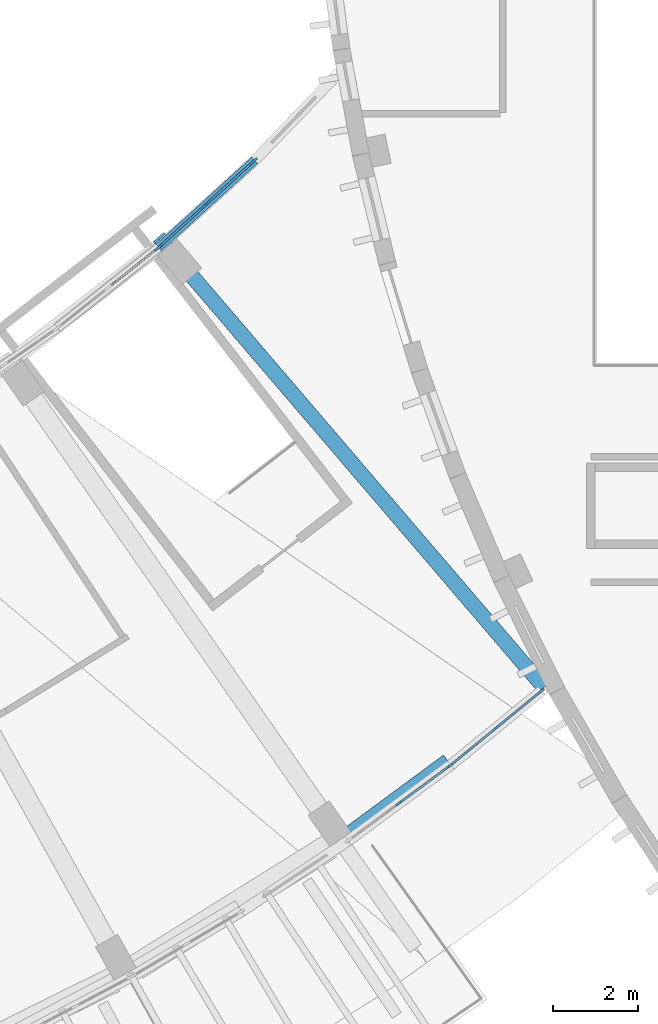
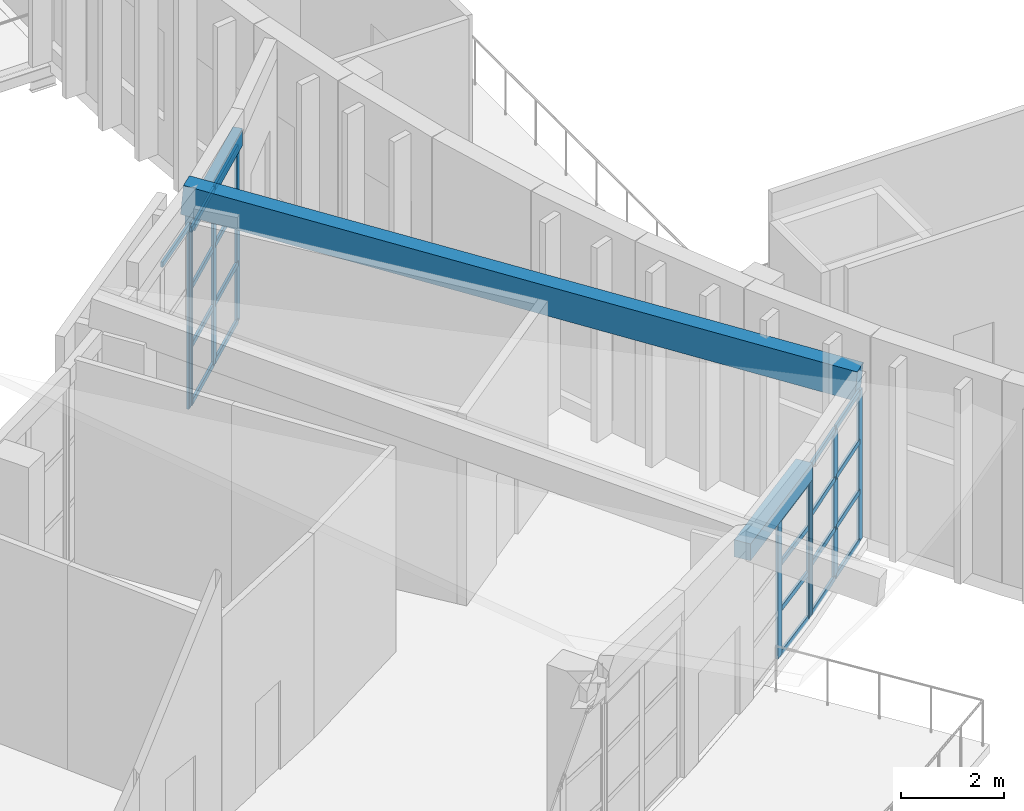
# One storey, part 24 of 93: 30 members, 3 beams, 4 elements without a shape of their own.
"""IFC4 building model written with IfcOpenShell, lengths in metres."""

from ifc_helpers import new_model, si_unit, direction, frame, origin, origin_2d, place, context, subcontext, project, spatial, rectangle, extrude, material, material_profile, profile_set, type_object, element, aggregate, save


model = new_model("IFC4")

# Units and contexts
model_context = context("Model", 3, precision=1e-05, world=origin(), true_north=direction((0.0, 1.0)))
body_context = subcontext(model_context, "Body", "Model", "MODEL_VIEW")
ifc_project = project(units=[si_unit("LENGTHUNIT", "METRE"), si_unit("AREAUNIT", "SQUARE_METRE"), si_unit("VOLUMEUNIT", "CUBIC_METRE"), si_unit("PLANEANGLEUNIT", "RADIAN"), si_unit("MASSUNIT", "GRAM", prefix="KILO")], contexts=[model_context])

# Site, building, storey
site_placement = place(None, origin())
site = spatial("IfcSite", under=ifc_project, at=site_placement, CompositionType="ELEMENT")
building_placement = place(site_placement, origin())
building = spatial("IfcBuilding", under=site, at=building_placement, Name="Tide Square Theatres", CompositionType="ELEMENT")
storey_placement = place(building_placement, frame((0.0, 0.0, 5.39990234375)))
storey = spatial("IfcBuildingStorey", under=building, at=storey_placement, Name="L01", CompositionType="ELEMENT", Elevation=5.39990234375)

# Curtain wall, members
ifc_material_1 = material(Name="Aluminium 6063-T5", Category="aluminium")
curtain_wall_type_1 = type_object("IfcCurtainWallType", Name="Stick system curtain wall 3000 high", PredefinedType="USERDEFINED", material=ifc_material_1)
curtain_wall_1_placement = place(storey_placement, origin())
curtain_wall_1 = element("IfcCurtainWall", 1, at=curtain_wall_1_placement, inside=storey, type_object=curtain_wall_type_1, Name="Foyer outer curtain wall", ObjectType="STICK SYSTEM", PredefinedType="USERDEFINED")
ifc_material_2 = material(Name="Aluminium 6063-T5", Category="aluminium")
ifc_material_profile_1 = material_profile(ifc_material_2, rectangle(XDim=0.050048828125, YDim=0.199951171875, at=origin_2d()))
ifc_profile_set_1 = profile_set([ifc_material_profile_1], Name="Aluminium 6063-T5")
member_type_1 = type_object("IfcMemberType", Name="Aluminium mullion 50 x 200", PredefinedType="MULLION", material=ifc_profile_set_1)
member_1_placement = place(storey_placement, frame((119.525390625, 19.826171875, 0.0), z_axis=(0.0, 0.0, 1.0), x_axis=(-0.593507553151, 0.804828419201, 0.0)))
member_1 = element("IfcMember", 2, at=member_1_placement, type_object=member_type_1, Name="CW-10 mullion 2", PredefinedType="MULLION", context=body_context, shape_type="SweptSolid", body=[
    extrude(rectangle(XDim=0.050048828125, YDim=0.199951171875, at=origin_2d()), origin(), (0.0, 0.0, 1.0), 3.239013671875),
])
member_2_placement = place(storey_placement, frame((120.7109375, 20.700439453125, 0.0), z_axis=(0.0, 0.0, 1.0), x_axis=(-0.593507553151, 0.804828419201, 0.0)))
member_2 = element("IfcMember", 3, at=member_2_placement, type_object=member_type_1, Name="CW-10 mullion 3", PredefinedType="MULLION", context=body_context, shape_type="SweptSolid", body=[
    extrude(rectangle(XDim=0.050048828125, YDim=0.199951171875, at=origin_2d()), origin(), (0.0, 0.0, 1.0), 3.239013671875),
])

ifc_material_3 = material(Name="Aluminium 6063-T5", Category="aluminium")
curtain_wall_type_2 = type_object("IfcCurtainWallType", Name="Unitised system curtain wall 3600 high", PredefinedType="USERDEFINED", material=ifc_material_3)
curtain_wall_2_placement = place(storey_placement, origin())
curtain_wall_2 = element("IfcCurtainWall", 4, at=curtain_wall_2_placement, inside=storey, type_object=curtain_wall_type_2, Name="Foyer outer curtain wall", ObjectType="UNITISED SYSTEM", PredefinedType="USERDEFINED")
member_3_placement = place(storey_placement, frame((120.750244140625, 20.731201171875, 0.0), z_axis=(0.0, 0.0, 1.0), x_axis=(-0.63302591926, 0.774130599799, 0.0)))
member_3 = element("IfcMember", 5, at=member_3_placement, type_object=member_type_1, Name="CW-05 mullion 1", PredefinedType="MULLION", context=body_context, shape_type="SweptSolid", body=[
    extrude(rectangle(XDim=0.050048828125, YDim=0.199951171875, at=origin_2d()), origin(), (0.0, 0.0, 1.0), 3.555908203125),
])
member_4_placement = place(storey_placement, frame((121.795654296875, 21.5859375, 0.0), z_axis=(0.0, 0.0, 1.0), x_axis=(-0.63302591926, 0.774130599799, 0.0)))
member_4 = element("IfcMember", 6, at=member_4_placement, type_object=member_type_1, Name="CW-05 mullion 2", PredefinedType="MULLION", context=body_context, shape_type="SweptSolid", body=[
    extrude(rectangle(XDim=0.050048828125, YDim=0.199951171875, at=origin_2d()), origin(), (0.0, 0.0, 1.0), 3.555908203125),
])
member_5_placement = place(storey_placement, frame((122.8408203125, 22.440673828125, 0.0), z_axis=(0.0, 0.0, 1.0), x_axis=(-0.63302591926, 0.774130599799, 0.0)))
member_5 = element("IfcMember", 7, at=member_5_placement, type_object=member_type_1, Name="CW-05 mullion 3", PredefinedType="MULLION", context=body_context, shape_type="SweptSolid", body=[
    extrude(rectangle(XDim=0.050048828125, YDim=0.199951171875, at=origin_2d()), origin(), (0.0, 0.0, 1.0), 3.555908203125),
])

ifc_material_4 = material(Name="Aluminium 6063-T5", Category="aluminium")
curtain_wall_type_3 = type_object("IfcCurtainWallType", Name="Unitised system curtain wall 4600 high", PredefinedType="USERDEFINED", material=ifc_material_4)
curtain_wall_3_placement = place(storey_placement, origin())
curtain_wall_3 = element("IfcCurtainWall", 8, at=curtain_wall_3_placement, inside=storey, type_object=curtain_wall_type_3, Name="Foyer inner curtain wall", ObjectType="UNITISED SYSTEM", PredefinedType="USERDEFINED")
member_6_placement = place(storey_placement, frame((116.10888671875, 34.88720703125, 0.0), z_axis=(0.0, 0.0, 1.0), x_axis=(0.672526963156, -0.740072620645, 0.0)))
member_6 = element("IfcMember", 9, at=member_6_placement, type_object=member_type_1, Name="CW-03 mullion 1", PredefinedType="MULLION", context=body_context, shape_type="SweptSolid", body=[
    extrude(rectangle(XDim=0.050048828125, YDim=0.199951171875, at=origin_2d()), origin(), (0.0, 0.0, 1.0), 4.159912109375),
])
member_7_placement = place(storey_placement, frame((115.00341796875, 33.882568359375, 0.0), z_axis=(0.0, 0.0, 1.0), x_axis=(0.672526963156, -0.740072620645, 0.0)))
member_7 = element("IfcMember", 10, at=member_7_placement, type_object=member_type_1, Name="CW-03 mullion 2", PredefinedType="MULLION", context=body_context, shape_type="SweptSolid", body=[
    extrude(rectangle(XDim=0.050048828125, YDim=0.199951171875, at=origin_2d()), origin(), (0.0, 0.0, 1.0), 4.159912109375),
])
member_8_placement = place(storey_placement, frame((113.897705078125, 32.877685546875, 0.0), z_axis=(0.0, 0.0, 1.0), x_axis=(0.672526963156, -0.740072620645, 0.0)))
member_8 = element("IfcMember", 11, at=member_8_placement, type_object=member_type_1, Name="CW-03 mullion 3", PredefinedType="MULLION", context=body_context, shape_type="SweptSolid", body=[
    extrude(rectangle(XDim=0.050048828125, YDim=0.199951171875, at=origin_2d()), origin(), (0.0, 0.0, 1.0), 4.159912109375),
])

# Curtain wall, member
curtain_wall_4_placement = place(storey_placement, origin())
curtain_wall_4 = element("IfcCurtainWall", 12, at=curtain_wall_4_placement, inside=storey, type_object=curtain_wall_type_3, Name="Foyer inner curtain wall", ObjectType="UNITISED SYSTEM", PredefinedType="USERDEFINED")
member_9_placement = place(storey_placement, frame((113.859619140625, 32.845458984375, 0.0), z_axis=(0.0, 0.0, 1.0), x_axis=(0.622339810024, -0.782747188343, 0.0)))
member_9 = element("IfcMember", 13, at=member_9_placement, type_object=member_type_1, Name="CW-03 mullion 1", PredefinedType="MULLION", context=body_context, shape_type="SweptSolid", body=[
    extrude(rectangle(XDim=0.050048828125, YDim=0.199951171875, at=origin_2d()), origin(), (0.0, 0.0, 1.0), 4.337646484375),
])

# Member
ifc_material_5 = material(Name="Aluminium 6063-T5", Category="aluminium")
ifc_material_profile_2 = material_profile(ifc_material_5, rectangle(XDim=0.050048828125, YDim=0.125, at=origin_2d()))
ifc_profile_set_2 = profile_set([ifc_material_profile_2], Name="Aluminium 6063-T5")
member_type_2 = type_object("IfcMemberType", Name="Aluminium transom 50 x 125", PredefinedType="USERDEFINED", material=ifc_profile_set_2)
member_10_placement = place(storey_placement, frame((119.54541015625, 19.841064453125, 0.025146484375), z_axis=(0.804853105229, 0.5934740761, 0.0), x_axis=(-0.5934740761, 0.804853105229, 0.0)))
member_10 = element("IfcMember", 14, at=member_10_placement, type_object=member_type_2, Name="CW-10 transom 2.1", ObjectType="TRANSOM", PredefinedType="USERDEFINED", context=body_context, shape_type="SweptSolid", body=[
    extrude(rectangle(XDim=0.050048828125, YDim=0.125, at=origin_2d()), origin(), (0.0, 0.0, 1.0), 1.4228515625),
])

member_11_placement = place(storey_placement, frame((119.54541015625, 19.841064453125, 1.07958984375), z_axis=(0.804853105229, 0.5934740761, 0.0), x_axis=(-0.5934740761, 0.804853105229, 0.0)))
member_11 = element("IfcMember", 15, at=member_11_placement, type_object=member_type_2, Name="CW-10 transom 2.2", ObjectType="TRANSOM", PredefinedType="USERDEFINED", context=body_context, shape_type="SweptSolid", body=[
    extrude(rectangle(XDim=0.050048828125, YDim=0.125, at=origin_2d()), origin(), (0.0, 0.0, 1.0), 1.4228515625),
])

member_12_placement = place(storey_placement, frame((119.54541015625, 19.841064453125, 2.159423828125), z_axis=(0.804853105229, 0.5934740761, 0.0), x_axis=(-0.5934740761, 0.804853105229, 0.0)))
member_12 = element("IfcMember", 16, at=member_12_placement, type_object=member_type_2, Name="CW-10 transom 2.3", ObjectType="TRANSOM", PredefinedType="USERDEFINED", context=body_context, shape_type="SweptSolid", body=[
    extrude(rectangle(XDim=0.050048828125, YDim=0.125, at=origin_2d()), origin(), (0.0, 0.0, 1.0), 1.4228515625),
])

member_13_placement = place(storey_placement, frame((119.54541015625, 19.841064453125, 3.214111328125), z_axis=(0.804853105229, 0.5934740761, 0.0), x_axis=(-0.5934740761, 0.804853105229, 0.0)))
member_13 = element("IfcMember", 17, at=member_13_placement, type_object=member_type_2, Name="CW-10 transom 2.4", ObjectType="TRANSOM", PredefinedType="USERDEFINED", context=body_context, shape_type="SweptSolid", body=[
    extrude(rectangle(XDim=0.050048828125, YDim=0.125, at=origin_2d()), origin(), (0.0, 0.0, 1.0), 1.4228515625),
])

aggregate(curtain_wall_1, [member_1, member_2, member_10, member_11, member_12, member_13])

member_14_placement = place(storey_placement, frame((120.769775390625, 20.7470703125, 0.025146484375), z_axis=(0.774174769022, 0.632971900648, 0.0), x_axis=(-0.632971900648, 0.774174769022, 0.0)))
member_14 = element("IfcMember", 18, at=member_14_placement, type_object=member_type_2, Name="CW-05 transom 1.1", ObjectType="TRANSOM", PredefinedType="USERDEFINED", context=body_context, shape_type="SweptSolid", body=[
    extrude(rectangle(XDim=0.050048828125, YDim=0.125, at=origin_2d()), origin(), (0.0, 0.0, 1.0), 1.30029296875),
])

member_15_placement = place(storey_placement, frame((120.769775390625, 20.7470703125, 1.185302734375), z_axis=(0.774174769022, 0.632971900648, 0.0), x_axis=(-0.632971900648, 0.774174769022, 0.0)))
member_15 = element("IfcMember", 19, at=member_15_placement, type_object=member_type_2, Name="CW-05 transom 1.2", ObjectType="TRANSOM", PredefinedType="USERDEFINED", context=body_context, shape_type="SweptSolid", body=[
    extrude(rectangle(XDim=0.050048828125, YDim=0.125, at=origin_2d()), origin(), (0.0, 0.0, 1.0), 1.30029296875),
])

member_16_placement = place(storey_placement, frame((120.769775390625, 20.7470703125, 2.37060546875), z_axis=(0.774174769022, 0.632971900648, 0.0), x_axis=(-0.632971900648, 0.774174769022, 0.0)))
member_16 = element("IfcMember", 20, at=member_16_placement, type_object=member_type_2, Name="CW-05 transom 1.3", ObjectType="TRANSOM", PredefinedType="USERDEFINED", context=body_context, shape_type="SweptSolid", body=[
    extrude(rectangle(XDim=0.050048828125, YDim=0.125, at=origin_2d()), origin(), (0.0, 0.0, 1.0), 1.30029296875),
])

member_17_placement = place(storey_placement, frame((120.769775390625, 20.7470703125, 3.531005859375), z_axis=(0.774174769022, 0.632971900648, 0.0), x_axis=(-0.632971900648, 0.774174769022, 0.0)))
member_17 = element("IfcMember", 21, at=member_17_placement, type_object=member_type_2, Name="CW-05 transom 1.4", ObjectType="TRANSOM", PredefinedType="USERDEFINED", context=body_context, shape_type="SweptSolid", body=[
    extrude(rectangle(XDim=0.050048828125, YDim=0.125, at=origin_2d()), origin(), (0.0, 0.0, 1.0), 1.30029296875),
])

member_18_placement = place(storey_placement, frame((121.81494140625, 21.6015625, 0.025146484375), z_axis=(0.774082758794, 0.633084419756, 0.0), x_axis=(-0.633084419756, 0.774082758794, 0.0)))
member_18 = element("IfcMember", 22, at=member_18_placement, type_object=member_type_2, Name="CW-05 transom 2.1", ObjectType="TRANSOM", PredefinedType="USERDEFINED", context=body_context, shape_type="SweptSolid", body=[
    extrude(rectangle(XDim=0.050048828125, YDim=0.125, at=origin_2d()), origin(), (0.0, 0.0, 1.0), 1.30029296875),
])

member_19_placement = place(storey_placement, frame((121.81494140625, 21.6015625, 1.185302734375), z_axis=(0.774082758794, 0.633084419756, 0.0), x_axis=(-0.633084419756, 0.774082758794, 0.0)))
member_19 = element("IfcMember", 23, at=member_19_placement, type_object=member_type_2, Name="CW-05 transom 2.2", ObjectType="TRANSOM", PredefinedType="USERDEFINED", context=body_context, shape_type="SweptSolid", body=[
    extrude(rectangle(XDim=0.050048828125, YDim=0.125, at=origin_2d()), origin(), (0.0, 0.0, 1.0), 1.30029296875),
])

member_20_placement = place(storey_placement, frame((121.81494140625, 21.6015625, 2.37060546875), z_axis=(0.774082758794, 0.633084419756, 0.0), x_axis=(-0.633084419756, 0.774082758794, 0.0)))
member_20 = element("IfcMember", 24, at=member_20_placement, type_object=member_type_2, Name="CW-05 transom 2.3", ObjectType="TRANSOM", PredefinedType="USERDEFINED", context=body_context, shape_type="SweptSolid", body=[
    extrude(rectangle(XDim=0.050048828125, YDim=0.125, at=origin_2d()), origin(), (0.0, 0.0, 1.0), 1.30029296875),
])

member_21_placement = place(storey_placement, frame((121.81494140625, 21.6015625, 3.531005859375), z_axis=(0.774082758794, 0.633084419756, 0.0), x_axis=(-0.633084419756, 0.774082758794, 0.0)))
member_21 = element("IfcMember", 25, at=member_21_placement, type_object=member_type_2, Name="CW-05 transom 2.4", ObjectType="TRANSOM", PredefinedType="USERDEFINED", context=body_context, shape_type="SweptSolid", body=[
    extrude(rectangle(XDim=0.050048828125, YDim=0.125, at=origin_2d()), origin(), (0.0, 0.0, 1.0), 1.30029296875),
])

aggregate(curtain_wall_2, [member_3, member_4, member_5, member_14, member_15, member_16, member_17, member_18, member_19, member_20, member_21])

member_22_placement = place(storey_placement, frame((116.090576171875, 34.870361328125, 0.025146484375), z_axis=(-0.740031870768, -0.672571803042, 0.0), x_axis=(0.672571803042, -0.740031870768, 0.0)))
member_22 = element("IfcMember", 26, at=member_22_placement, type_object=member_type_2, Name="CW-03 transom 1.1", ObjectType="TRANSOM", PredefinedType="USERDEFINED", context=body_context, shape_type="SweptSolid", body=[
    extrude(rectangle(XDim=0.050048828125, YDim=0.125, at=origin_2d()), origin(), (0.0, 0.0, 1.0), 1.444091796875),
])

member_23_placement = place(storey_placement, frame((116.090576171875, 34.870361328125, 1.38671875), z_axis=(-0.740031870768, -0.672571803042, 0.0), x_axis=(0.672571803042, -0.740031870768, 0.0)))
member_23 = element("IfcMember", 27, at=member_23_placement, type_object=member_type_2, Name="CW-03 transom 1.2", ObjectType="TRANSOM", PredefinedType="USERDEFINED", context=body_context, shape_type="SweptSolid", body=[
    extrude(rectangle(XDim=0.050048828125, YDim=0.125, at=origin_2d()), origin(), (0.0, 0.0, 1.0), 1.444091796875),
])

member_24_placement = place(storey_placement, frame((116.090576171875, 34.870361328125, 2.773193359375), z_axis=(-0.740031870768, -0.672571803042, 0.0), x_axis=(0.672571803042, -0.740031870768, 0.0)))
member_24 = element("IfcMember", 28, at=member_24_placement, type_object=member_type_2, Name="CW-03 transom 1.3", ObjectType="TRANSOM", PredefinedType="USERDEFINED", context=body_context, shape_type="SweptSolid", body=[
    extrude(rectangle(XDim=0.050048828125, YDim=0.125, at=origin_2d()), origin(), (0.0, 0.0, 1.0), 1.444091796875),
])

member_25_placement = place(storey_placement, frame((116.090576171875, 34.870361328125, 4.134765625), z_axis=(-0.740031870768, -0.672571803042, 0.0), x_axis=(0.672571803042, -0.740031870768, 0.0)))
member_25 = element("IfcMember", 29, at=member_25_placement, type_object=member_type_2, Name="CW-03 transom 1.4", ObjectType="TRANSOM", PredefinedType="USERDEFINED", context=body_context, shape_type="SweptSolid", body=[
    extrude(rectangle(XDim=0.050048828125, YDim=0.125, at=origin_2d()), origin(), (0.0, 0.0, 1.0), 1.444091796875),
])

member_26_placement = place(storey_placement, frame((114.98486328125, 33.86572265625, 0.025146484375), z_axis=(-0.740031870768, -0.672571803042, 0.0), x_axis=(0.672571803042, -0.740031870768, 0.0)))
member_26 = element("IfcMember", 30, at=member_26_placement, type_object=member_type_2, Name="CW-03 transom 2.1", ObjectType="TRANSOM", PredefinedType="USERDEFINED", context=body_context, shape_type="SweptSolid", body=[
    extrude(rectangle(XDim=0.050048828125, YDim=0.125, at=origin_2d()), origin(), (0.0, 0.0, 1.0), 1.444091796875),
])

member_27_placement = place(storey_placement, frame((114.98486328125, 33.86572265625, 1.38671875), z_axis=(-0.740031870768, -0.672571803042, 0.0), x_axis=(0.672571803042, -0.740031870768, 0.0)))
member_27 = element("IfcMember", 31, at=member_27_placement, type_object=member_type_2, Name="CW-03 transom 2.2", ObjectType="TRANSOM", PredefinedType="USERDEFINED", context=body_context, shape_type="SweptSolid", body=[
    extrude(rectangle(XDim=0.050048828125, YDim=0.125, at=origin_2d()), origin(), (0.0, 0.0, 1.0), 1.444091796875),
])

member_28_placement = place(storey_placement, frame((114.98486328125, 33.86572265625, 2.773193359375), z_axis=(-0.740031870768, -0.672571803042, 0.0), x_axis=(0.672571803042, -0.740031870768, 0.0)))
member_28 = element("IfcMember", 32, at=member_28_placement, type_object=member_type_2, Name="CW-03 transom 2.3", ObjectType="TRANSOM", PredefinedType="USERDEFINED", context=body_context, shape_type="SweptSolid", body=[
    extrude(rectangle(XDim=0.050048828125, YDim=0.125, at=origin_2d()), origin(), (0.0, 0.0, 1.0), 1.444091796875),
])

member_29_placement = place(storey_placement, frame((114.98486328125, 33.86572265625, 4.134765625), z_axis=(-0.740031870768, -0.672571803042, 0.0), x_axis=(0.672571803042, -0.740031870768, 0.0)))
member_29 = element("IfcMember", 33, at=member_29_placement, type_object=member_type_2, Name="CW-03 transom 2.4", ObjectType="TRANSOM", PredefinedType="USERDEFINED", context=body_context, shape_type="SweptSolid", body=[
    extrude(rectangle(XDim=0.050048828125, YDim=0.125, at=origin_2d()), origin(), (0.0, 0.0, 1.0), 1.444091796875),
])

aggregate(curtain_wall_3, [member_6, member_7, member_8, member_22, member_23, member_24, member_25, member_26, member_27, member_28, member_29])

member_30_placement = place(storey_placement, frame((113.840087890625, 32.829833984375, 4.3125), z_axis=(-0.782762014986, -0.622321161375, 0.0), x_axis=(0.622321161375, -0.782762014986, 0.0)))
member_30 = element("IfcMember", 34, at=member_30_placement, type_object=member_type_2, Name="CW-03 transom 1.4", ObjectType="TRANSOM", PredefinedType="USERDEFINED", context=body_context, shape_type="SweptSolid", body=[
    extrude(rectangle(XDim=0.050048828125, YDim=0.125, at=origin_2d()), origin(), (0.0, 0.0, 1.0), 1.444091796875),
])

aggregate(curtain_wall_4, [member_9, member_30])

# Beams
ifc_material_6 = material(Name="Concrete C35", Category="concrete")
ifc_material_profile_3 = material_profile(ifc_material_6, rectangle(XDim=0.199951171875, YDim=0.39990234375, at=origin_2d()))
ifc_profile_set_3 = profile_set([ifc_material_profile_3], Name="Concrete C35")
beam_type_1 = type_object("IfcBeamType", Name="RC beam 200 x 400", PredefinedType="BEAM", material=ifc_profile_set_3)
beam_1_placement = place(storey_placement, frame((116.12744140625, 34.904052734375, 4.35986328125), z_axis=(-0.740052787851, -0.672548787222, 0.0), x_axis=(0.672548787222, -0.740052787851, 0.0)))
element("IfcBeam", 35, at=beam_1_placement, inside=storey, type_object=beam_type_1, Name="Foyer fascia head beam", PredefinedType="BEAM", context=body_context, shape_type="SweptSolid", body=[
    extrude(rectangle(XDim=0.199951171875, YDim=0.39990234375, at=origin_2d()), origin(), (0.0, 0.0, 1.0), 3.0380859375),
])
ifc_material_7 = material(Name="Concrete C35", Category="concrete")
ifc_material_profile_4 = material_profile(ifc_material_7, rectangle(XDim=0.35009765625, YDim=0.39990234375, at=origin_2d()))
ifc_profile_set_4 = profile_set([ifc_material_profile_4], Name="Concrete C35")
beam_type_2 = type_object("IfcBeamType", Name="RC beam 350 x 400", PredefinedType="BEAM", material=ifc_profile_set_4)
beam_2_placement = place(storey_placement, frame((118.25146484375, 19.02978515625, 3.43896484375), z_axis=(0.804853022255, 0.593474188628, 0.0), x_axis=(-0.593474188628, 0.804853022255, 0.0)))
element("IfcBeam", 36, at=beam_2_placement, inside=storey, type_object=beam_type_2, Name="Foyer fascia head beam", PredefinedType="BEAM", context=body_context, shape_type="SweptSolid", body=[
    extrude(rectangle(XDim=0.35009765625, YDim=0.39990234375, at=origin_2d()), origin(), (0.0, 0.0, 1.0), 2.99609375),
])
ifc_material_8 = material(Name="Concrete C40", Category="concrete")
ifc_material_profile_5 = material_profile(ifc_material_8, rectangle(XDim=0.35009765625, YDim=0.699951171875, at=origin_2d()))
ifc_profile_set_5 = profile_set([ifc_material_profile_5], Name="Concrete C40")
beam_type_3 = type_object("IfcBeamType", Name="RC foyer roof rib 350 x 700", PredefinedType="BEAM", material=ifc_profile_set_5)
beam_3_placement = place(storey_placement, frame((113.891357421875, 33.081298828125, 4.8505859375), z_axis=(0.6479189863, -0.756906497249, -0.085402234249), x_axis=(0.759681953206, 0.650294802357, 0.0)))
element("IfcBeam", 37, at=beam_3_placement, inside=storey, type_object=beam_type_3, Name="Foyer roof rib 14", PredefinedType="BEAM", context=body_context, shape_type="SweptSolid", body=[
    extrude(rectangle(XDim=0.35009765625, YDim=0.699951171875, at=origin_2d()), origin(), (0.0, 0.0, 1.0), 13.90185546875),
])

save(model, "model.ifc")
